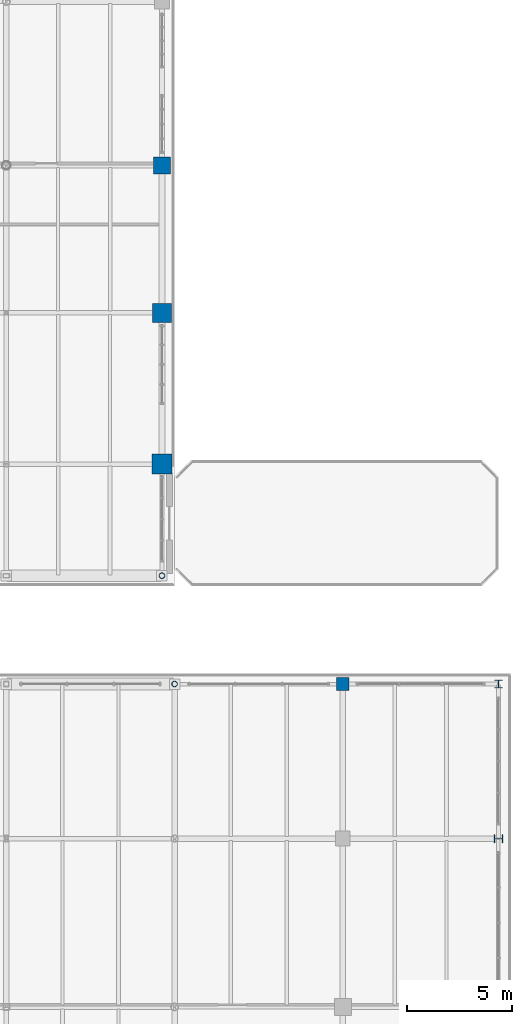
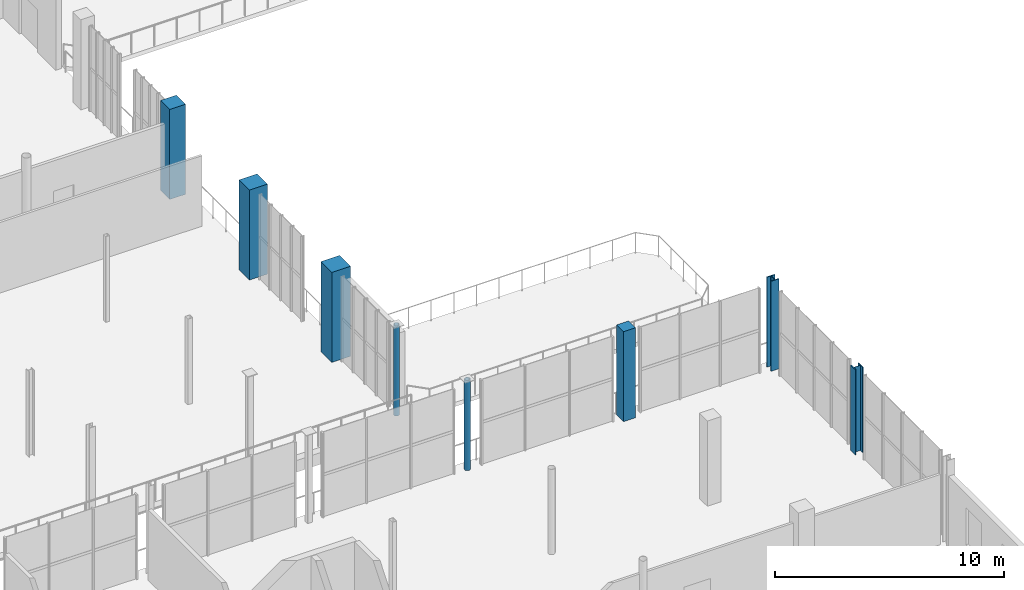
# One storey, part 27 of 93: 8 columns.
"""IFC4 building model written with IfcOpenShell, lengths in metres."""

from ifc_helpers import new_model, si_unit, direction, frame, origin, origin_2d, place, context, subcontext, project, spatial, rectangle, hollow_circle, i_section, extrude, material, material_profile, profile_set, type_object, element, save


model = new_model("IFC4")

# Units and contexts
model_context = context("Model", 3, precision=1e-05, world=origin(), true_north=direction((0.0, 1.0)))
body_context = subcontext(model_context, "Body", "Model", "MODEL_VIEW")
ifc_project = project(units=[si_unit("LENGTHUNIT", "METRE"), si_unit("AREAUNIT", "SQUARE_METRE"), si_unit("VOLUMEUNIT", "CUBIC_METRE"), si_unit("PLANEANGLEUNIT", "RADIAN"), si_unit("MASSUNIT", "GRAM", prefix="KILO")], contexts=[model_context])

# Site, building, storey
site_placement = place(None, origin())
site = spatial("IfcSite", under=ifc_project, at=site_placement, CompositionType="ELEMENT")
building_placement = place(site_placement, origin())
building = spatial("IfcBuilding", under=site, at=building_placement, Name="Brisemont Oceanarium", CompositionType="ELEMENT")
storey_placement = place(building_placement, frame((0.0, 0.0, 5.39990234375)))
storey = spatial("IfcBuildingStorey", under=building, at=storey_placement, Name="L01", CompositionType="ELEMENT", Elevation=5.39990234375)

# Columns
ifc_material_1 = material(Name="Structural Steel ASTM A500 Gr.C", Category="steel")
ifc_material_profile_1 = material_profile(ifc_material_1, hollow_circle(Radius=0.136474609375, WallThickness=0.01171875, at=origin_2d()), Name="HSS10.750X0.500")
ifc_profile_set_1 = profile_set([ifc_material_profile_1], Name="Structural Steel ASTM A500 Gr.C")
column_type_1 = type_object("IfcColumnType", Name="COL-CHS10", PredefinedType="COLUMN", material=ifc_profile_set_1)
for number, where, z_axis, x_axis, name in (
    (1, (144.0, 31.35009765625, 0.0), (0.0, 0.0, 1.0), (1.0, 0.0, 0.0), "V3 L01 column (4,4)"),
    (2, (143.39990234375, 36.5, 0.0), (0.0, 0.0, 1.0), (1.0, 0.0, 0.0), "V5E L01 column (4,0)"),
):
    element("IfcColumn", number, at=place(storey_placement, frame(where, z_axis=z_axis, x_axis=x_axis)), inside=storey, type_object=column_type_1, Name=name, PredefinedType="COLUMN", context=body_context, shape_type="SweptSolid", body=[
        extrude(hollow_circle(Radius=0.136474609375, WallThickness=0.01171875, at=origin_2d()), origin(), (0.0, 0.0, 1.0), 4.800048828125),
    ])
ifc_material_2 = material(Name="Concrete C35/45", Category="concrete")
ifc_material_profile_2 = material_profile(ifc_material_2, rectangle(XDim=0.60009765625, YDim=0.60009765625, at=origin_2d()), Name="RC-COL-600X600")
ifc_profile_set_2 = profile_set([ifc_material_profile_2], Name="Concrete C35/45")
column_type_2 = type_object("IfcColumnType", Name="COL-RC600", PredefinedType="COLUMN", material=ifc_profile_set_2)
column_1_placement = place(storey_placement, frame((152.0, 31.35009765625, 0.0), z_axis=(0.0, 0.0, 1.0), x_axis=(0.0, 1.0, 0.0)))
element("IfcColumn", 3, at=column_1_placement, inside=storey, type_object=column_type_2, Name="V3 L01 column (5,4)", PredefinedType="COLUMN", context=body_context, shape_type="SweptSolid", body=[
    extrude(rectangle(XDim=0.60009765625, YDim=0.60009765625, at=origin_2d()), origin(), (0.0, 0.0, 1.0), 4.800048828125),
])
ifc_material_3 = material(Name="Concrete C40/50", Category="concrete")
ifc_material_profile_3 = material_profile(ifc_material_3, rectangle(XDim=0.800048828125, YDim=0.800048828125, at=origin_2d()), Name="RC-COL-800X800")
ifc_profile_set_3 = profile_set([ifc_material_profile_3], Name="Concrete C40/50")
column_type_3 = type_object("IfcColumnType", Name="COL-RC800", PredefinedType="COLUMN", material=ifc_profile_set_3)
column_2_placement = place(storey_placement, frame((143.39990234375, 56.0, 0.0), z_axis=(0.0, 0.0, 1.0), x_axis=(0.0, 1.0, 0.0)))
element("IfcColumn", 4, at=column_2_placement, inside=storey, type_object=column_type_3, Name="V5E L01 column (4,3)", PredefinedType="COLUMN", context=body_context, shape_type="SweptSolid", body=[
    extrude(rectangle(XDim=0.800048828125, YDim=0.800048828125, at=origin_2d()), origin(), (0.0, 0.0, 1.0), 4.800048828125),
])
ifc_material_4 = material(Name="Concrete C40/50", Category="concrete")
ifc_material_profile_4 = material_profile(ifc_material_4, rectangle(XDim=0.89990234375, YDim=0.89990234375, at=origin_2d()), Name="RC-COL-900X900")
ifc_profile_set_4 = profile_set([ifc_material_profile_4], Name="Concrete C40/50")
column_type_4 = type_object("IfcColumnType", Name="COL-RC900", PredefinedType="COLUMN", material=ifc_profile_set_4)
column_3_placement = place(storey_placement, frame((143.39990234375, 49.0, 0.0), z_axis=(0.0, 0.0, 1.0), x_axis=(1.0, 0.0, 0.0)))
element("IfcColumn", 5, at=column_3_placement, inside=storey, type_object=column_type_4, Name="V5E L01 column (4,2)", PredefinedType="COLUMN", context=body_context, shape_type="SweptSolid", body=[
    extrude(rectangle(XDim=0.89990234375, YDim=0.89990234375, at=origin_2d()), origin(), (0.0, 0.0, 1.0), 4.800048828125),
])
ifc_material_5 = material(Name="Concrete C40/50", Category="concrete")
ifc_material_profile_5 = material_profile(ifc_material_5, rectangle(XDim=0.949951171875, YDim=0.949951171875, at=origin_2d()), Name="RC-COL-950X950")
ifc_profile_set_5 = profile_set([ifc_material_profile_5], Name="Concrete C40/50")
column_type_5 = type_object("IfcColumnType", Name="COL-RC950", PredefinedType="COLUMN", material=ifc_profile_set_5)
column_4_placement = place(storey_placement, frame((143.39990234375, 41.800048828125, 0.0), z_axis=(0.0, 0.0, 1.0), x_axis=(0.0, 1.0, 0.0)))
element("IfcColumn", 6, at=column_4_placement, inside=storey, type_object=column_type_5, Name="V5E L01 column (4,1)", PredefinedType="COLUMN", context=body_context, shape_type="SweptSolid", body=[
    extrude(rectangle(XDim=0.949951171875, YDim=0.949951171875, at=origin_2d()), origin(), (0.0, 0.0, 1.0), 4.800048828125),
])
ifc_material_6 = material(Name="Structural Steel ASTM A992 Gr.50", Category="steel")
ifc_material_profile_6 = material_profile(ifc_material_6, i_section(OverallWidth=0.40087890625, OverallDepth=0.39892578125, WebThickness=0.02490234375, FlangeThickness=0.03955078125, FilletRadius=0.014892578125, at=origin_2d()), Name="W14X211")
ifc_profile_set_6 = profile_set([ifc_material_profile_6], Name="Structural Steel ASTM A992 Gr.50")
column_type_6 = type_object("IfcColumnType", Name="COL-W14X211", PredefinedType="COLUMN", material=ifc_profile_set_6)
column_5_placement = place(storey_placement, frame((159.39990234375, 31.35009765625, 0.0), z_axis=(0.0, 0.0, 1.0), x_axis=(1.0, 0.0, 0.0)))
element("IfcColumn", 7, at=column_5_placement, inside=storey, type_object=column_type_6, Name="V3 L01 column (6,4)", PredefinedType="COLUMN", context=body_context, shape_type="SweptSolid", body=[
    extrude(i_section(OverallWidth=0.40087890625, OverallDepth=0.39892578125, WebThickness=0.02490234375, FlangeThickness=0.03955078125, FilletRadius=0.014892578125, at=origin_2d()), origin(), (0.0, 0.0, 1.0), 4.800048828125),
])
ifc_material_7 = material(Name="Structural Steel ASTM A992 Gr.50", Category="steel")
ifc_material_profile_7 = material_profile(ifc_material_7, i_section(OverallWidth=0.404052734375, OverallDepth=0.406982421875, WebThickness=0.027099609375, FlangeThickness=0.043701171875, FilletRadius=0.014892578125, at=origin_2d()), Name="W14X233")
ifc_profile_set_7 = profile_set([ifc_material_profile_7], Name="Structural Steel ASTM A992 Gr.50")
column_type_7 = type_object("IfcColumnType", Name="COL-W14X233", PredefinedType="COLUMN", material=ifc_profile_set_7)
column_6_placement = place(storey_placement, frame((159.39990234375, 24.0, 0.0), z_axis=(0.0, 0.0, 1.0), x_axis=(0.0, 1.0, 0.0)))
element("IfcColumn", 8, at=column_6_placement, inside=storey, type_object=column_type_7, Name="V3 L01 column (6,3)", PredefinedType="COLUMN", context=body_context, shape_type="SweptSolid", body=[
    extrude(i_section(OverallWidth=0.404052734375, OverallDepth=0.406982421875, WebThickness=0.027099609375, FlangeThickness=0.043701171875, FilletRadius=0.014892578125, at=origin_2d()), origin(), (0.0, 0.0, 1.0), 4.5400390625),
])

save(model, "model.ifc")
